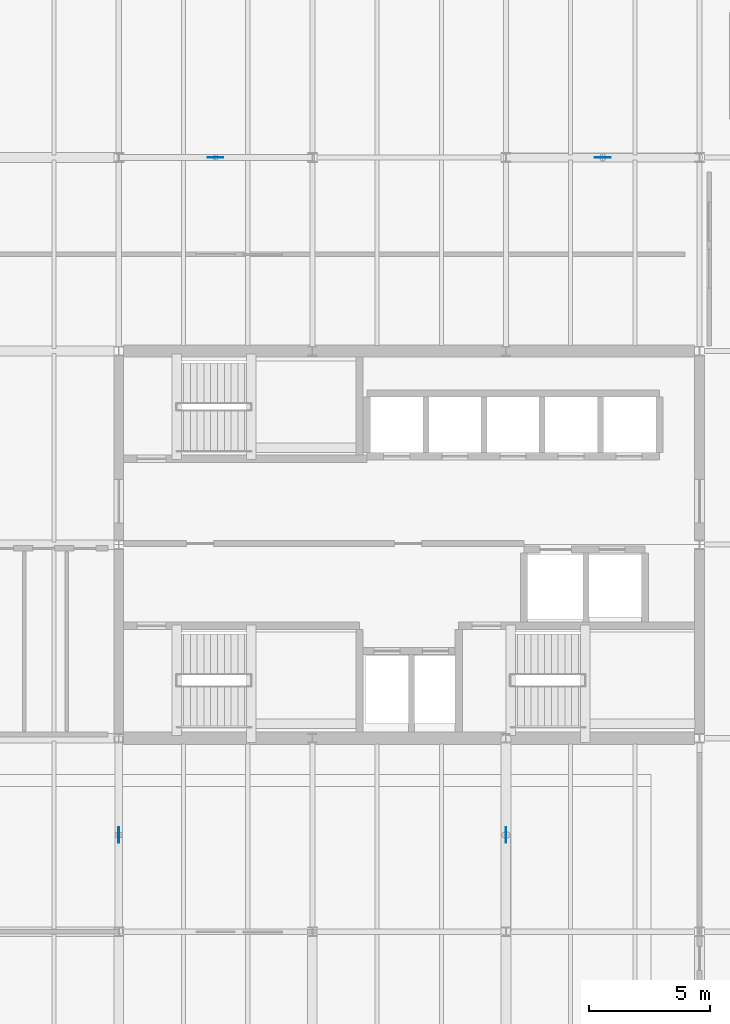
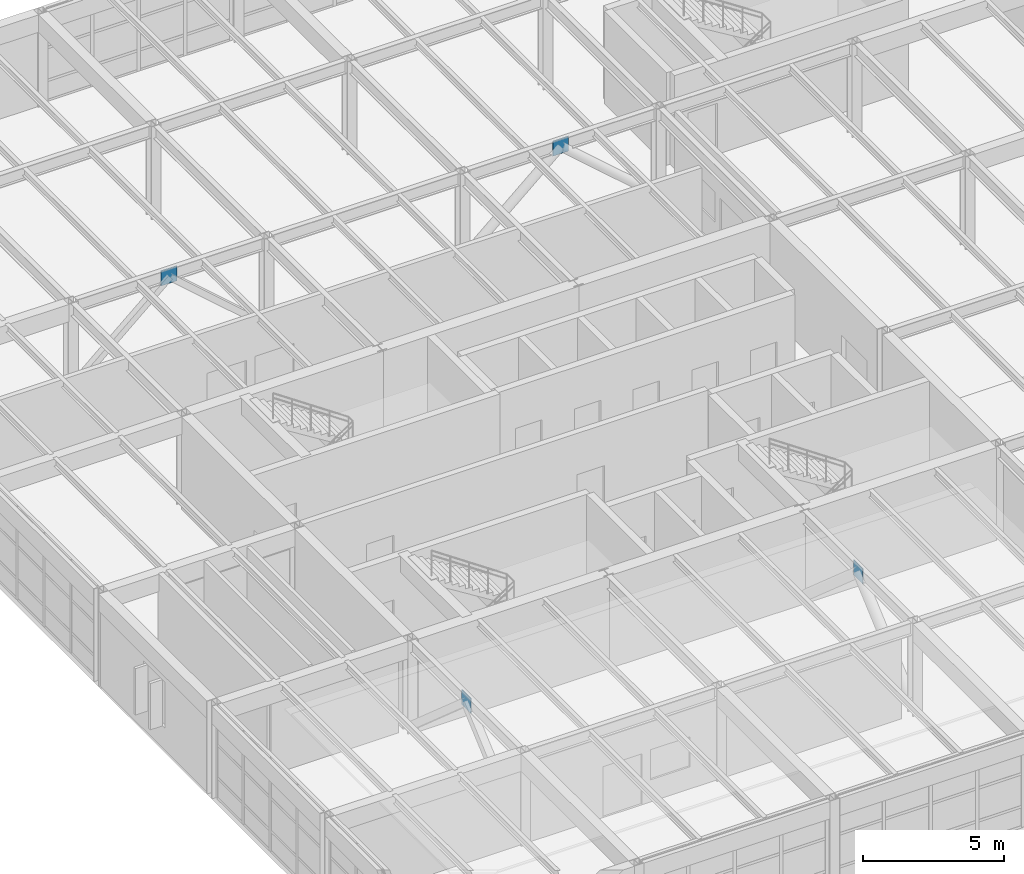
# One storey, part 35 of 48: 4 plates.
"""IFC4 building model written with IfcOpenShell, lengths in metres."""

from ifc_helpers import new_model, si_unit, direction, frame, origin, origin_2d, place, context, subcontext, project, spatial, rectangle, extrude, material, layer, layer_set, type_object, element, save


model = new_model("IFC4")

# Units and contexts
model_context = context("Model", 3, precision=1e-05, world=origin(), true_north=direction((0.0, 1.0)))
body_context = subcontext(model_context, "Body", "Model", "MODEL_VIEW")
ifc_project = project(units=[si_unit("LENGTHUNIT", "METRE"), si_unit("AREAUNIT", "SQUARE_METRE"), si_unit("VOLUMEUNIT", "CUBIC_METRE"), si_unit("PLANEANGLEUNIT", "RADIAN"), si_unit("MASSUNIT", "GRAM", prefix="KILO")], contexts=[model_context])

# Site, building, storey
site_placement = place(None, origin())
site = spatial("IfcSite", under=ifc_project, at=site_placement, CompositionType="ELEMENT")
building_placement = place(site_placement, origin())
building = spatial("IfcBuilding", under=site, at=building_placement, Name="Varnela Railside Interchange", CompositionType="ELEMENT")
storey_placement = place(building_placement, frame((0.0, 0.0, 11.199951171875)))
storey = spatial("IfcBuildingStorey", under=building, at=storey_placement, Name="L02", CompositionType="ELEMENT", Elevation=11.199951171875)

# Plates
ifc_material = material(Name="Steel AR 350 (350 MPa)", Category="steel")
ifc_layer = layer(ifc_material, 0.64990234375)
ifc_layer_set = layer_set([ifc_layer], Name="Steel AR 350 (350 MPa)")
plate_type = type_object("IfcPlateType", Name="Brace Gusset Plate GP-01", PredefinedType="SHEET", material=ifc_layer_set)
for number, where, z_axis, x_axis, name in (
    (1, (16.0, 78.0, 3.3251953125), (0.0, 0.0, 1.0), (1.0, 0.0, 0.0), "Brace Gusset Plate GP-01 (L02) (PL-020)"),
    (2, (32.0, 78.0, 3.3251953125), (0.0, 0.0, 1.0), (1.0, 0.0, 0.0), "Brace Gusset Plate GP-01 (L02) (PL-021)"),
    (3, (12.0, 50.0, 3.3251953125), (0.0, 0.0, 1.0), (0.0, 1.0, 0.0), "Brace Gusset Plate GP-01 (L02) (PL-022)"),
    (4, (28.0, 50.0, 3.3251953125), (0.0, 0.0, 1.0), (0.0, 1.0, 0.0), "Brace Gusset Plate GP-01 (L02) (PL-023)"),
):
    element("IfcPlate", number, at=place(storey_placement, frame(where, z_axis=z_axis, x_axis=x_axis)), inside=storey, type_object=plate_type, Name=name, PredefinedType="SHEET", context=body_context, shape_type="SweptSolid", body=[
        extrude(rectangle(XDim=0.64990234375, YDim=0.030029296875, at=origin_2d()), origin(), (0.0, 0.0, 1.0), 0.64990234375),
    ])

save(model, "model.ifc")
